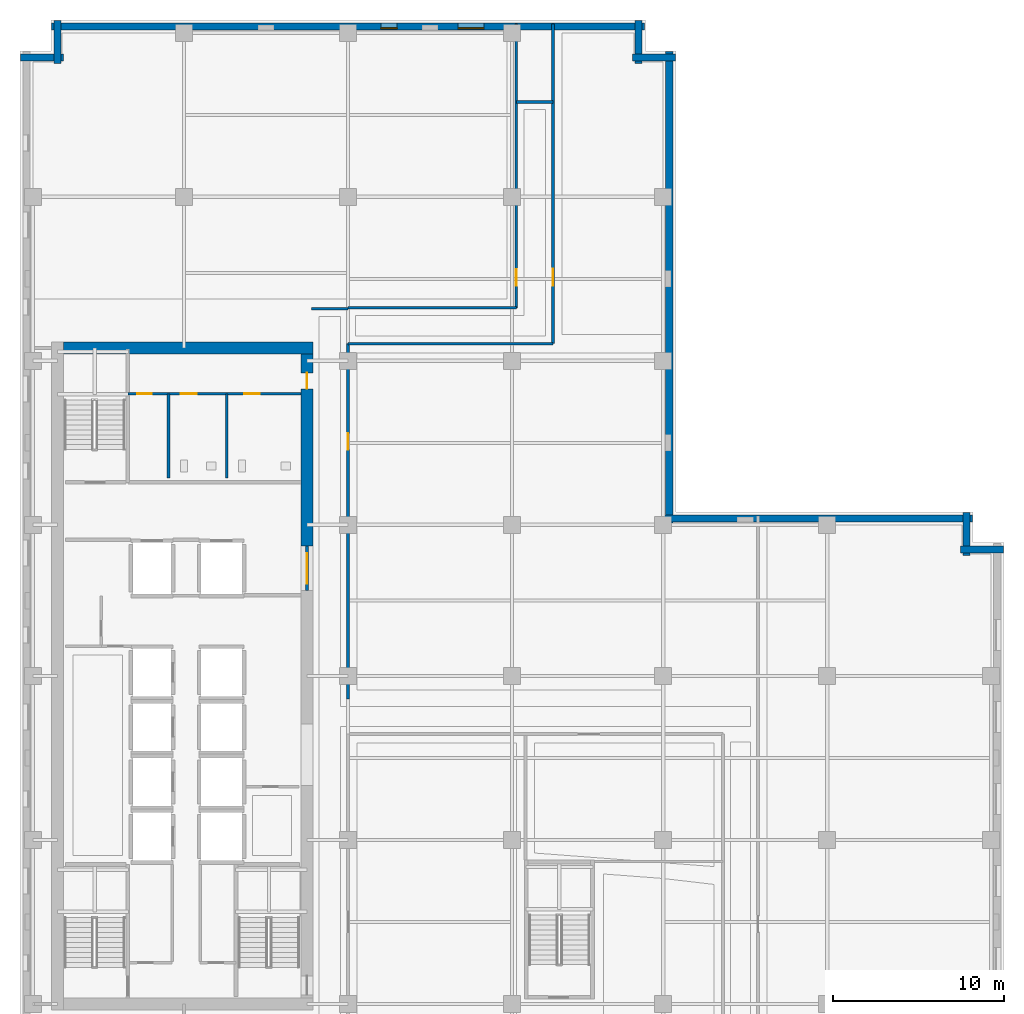
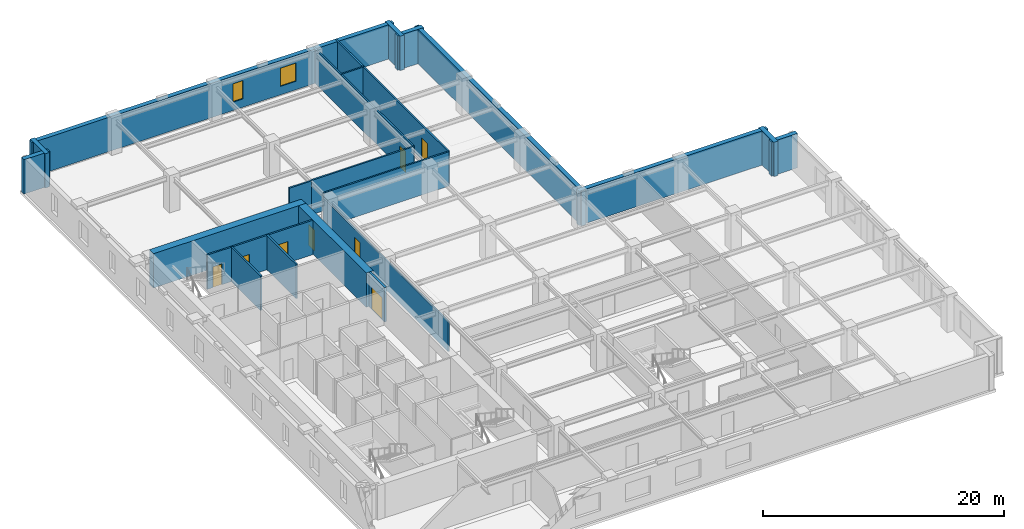
# One storey, part 6 of 12: 22 walls, 8 doors, 2 windows, 10 openings.
"""IFC4 building model written with IfcOpenShell, lengths in metres."""

from ifc_helpers import new_model, si_unit, direction, frame, frame_2d, origin, place, context, subcontext, project, spatial, rectangle, extrude, material, layer, layer_set, type_object, element, fill, save


model = new_model("IFC4")

# Units and contexts
model_context = context("Model", 3, precision=1e-05, world=origin(), true_north=direction((0.0, 1.0)))
body_context = subcontext(model_context, "Body", "Model", "MODEL_VIEW")
ifc_project = project(units=[si_unit("LENGTHUNIT", "METRE"), si_unit("AREAUNIT", "SQUARE_METRE"), si_unit("VOLUMEUNIT", "CUBIC_METRE"), si_unit("PLANEANGLEUNIT", "RADIAN"), si_unit("MASSUNIT", "GRAM", prefix="KILO")], contexts=[model_context])

# Site, building, storey
site_placement = place(None, origin())
site = spatial("IfcSite", under=ifc_project, at=site_placement, CompositionType="ELEMENT")
building_placement = place(site_placement, origin())
building = spatial("IfcBuilding", under=site, at=building_placement, Name="Norrvale University Quadrangle", CompositionType="ELEMENT")
storey_placement = place(building_placement, frame((0.0, 0.0, 147.0)))
storey = spatial("IfcBuildingStorey", under=building, at=storey_placement, Name="L37", CompositionType="ELEMENT", Elevation=147.0)

# Walls
ifc_material_1 = material(Name="Buff Norman Clay Brick Masonry", Category="masonry")
ifc_layer_1 = layer(ifc_material_1, 0.419921875, Name="Buff Norman Clay Brick Masonry")
ifc_layer_set_1 = layer_set([ifc_layer_1], Name="Buff Norman Clay Brick Masonry")
wall_type_1 = type_object("IfcWallType", Name="Wall Buff Brick 420", PredefinedType="SOLIDWALL", material=ifc_layer_set_1)
for number, where, z_axis, x_axis, name in (
    (1, (57.56005859375, 36.2099609375, 0.0), (0.0, 0.0, 1.0), (-1.0, 0.0, 0.0), "Exterior Brick Facade Wall L37-05.1"),
    (2, (55.409912109375, 35.860107421875, 0.0), (0.0, 0.0, 1.0), (0.0, 1.0, 0.0), "Exterior Brick Facade Wall L37-06.1"),
):
    element("IfcWall", number, at=place(storey_placement, frame(where, z_axis=z_axis, x_axis=x_axis)), inside=storey, type_object=wall_type_1, Name=name, PredefinedType="SOLIDWALL", context=body_context, shape_type="SweptSolid", body=[
        extrude(rectangle(XDim=2.5, YDim=0.419921875, at=frame_2d((1.25, 0.0))), origin(), (0.0, 0.0, 1.0), 3.47998046875),
    ])
wall_1_placement = place(storey_placement, frame((55.760009765625, 38.010009765625, 0.0), z_axis=(0.0, 0.0, 1.0), x_axis=(-1.0, 0.0, 0.0)))
element("IfcWall", 3, at=wall_1_placement, inside=storey, type_object=wall_type_1, Name="Exterior Brick Facade Wall L37-07.1", PredefinedType="SOLIDWALL", context=body_context, shape_type="SweptSolid", body=[
    extrude(rectangle(XDim=18.10009765625, YDim=0.419921875, at=frame_2d((9.050048828125, 0.0))), origin(), (0.0, 0.0, 1.0), 3.47998046875),
])
wall_2_placement = place(storey_placement, frame((38.010009765625, 37.659912109375, 0.0), z_axis=(0.0, 0.0, 1.0), x_axis=(0.0, 1.0, 0.0)))
element("IfcWall", 4, at=wall_2_placement, inside=storey, type_object=wall_type_1, Name="Exterior Brick Facade Wall L37-08.1", PredefinedType="SOLIDWALL", context=body_context, shape_type="SweptSolid", body=[
    extrude(rectangle(XDim=27.7001953125, YDim=0.419921875, at=frame_2d((13.85009765625, 0.0))), origin(), (0.0, 0.0, 1.0), 3.47998046875),
])
for number, where, z_axis, x_axis, name in (
    (5, (38.360107421875, 65.010009765625, 0.0), (0.0, 0.0, 1.0), (-1.0, 0.0, 0.0), "Exterior Brick Facade Wall L37-09.1"),
    (6, (36.2099609375, 64.659912109375, 0.0), (0.0, 0.0, 1.0), (0.0, 1.0, 0.0), "Exterior Brick Facade Wall L37-10.1"),
):
    element("IfcWall", number, at=place(storey_placement, frame(where, z_axis=z_axis, x_axis=x_axis)), inside=storey, type_object=wall_type_1, Name=name, PredefinedType="SOLIDWALL", context=body_context, shape_type="SweptSolid", body=[
        extrude(rectangle(XDim=2.5, YDim=0.419921875, at=frame_2d((1.25, 0.0))), origin(), (0.0, 0.0, 1.0), 3.47998046875),
    ])

# Wall, openings, windows
wall_3_placement = place(storey_placement, frame((36.56005859375, 66.81005859375, 0.0), z_axis=(0.0, 0.0, 1.0), x_axis=(-1.0, 0.0, 0.0)))
wall_3 = element("IfcWall", 7, at=wall_3_placement, inside=storey, type_object=wall_type_1, Name="Exterior Brick Facade Wall L37-11.1", PredefinedType="SOLIDWALL", context=body_context, shape_type="SweptSolid", body=[
    extrude(rectangle(XDim=34.719970703125, YDim=0.419921875, at=frame_2d((17.35986328125, 0.0))), origin(), (0.0, 0.0, 1.0), 3.47998046875),
])
opening_1_placement = place(wall_3_placement, frame((9.409912109375, 0.0, 0.85009765625)))
opening_1 = element("IfcOpeningElement", 8, at=opening_1_placement, cuts=wall_3, Name="Opening W03", PredefinedType="OPENING", context=body_context, shape_type="SweptSolid", body=[
    extrude(rectangle(XDim=1.5, YDim=1.85009765625, at=frame_2d((0.75, 0.925048828125))), frame((0.0, 0.221923828125, 0.0), z_axis=(0.0, -1.0, 0.0), x_axis=(1.0, 0.0, 0.0)), (0.0, 0.0, 1.0), 0.44384765625),
])
opening_2_placement = place(wall_3_placement, frame((14.485107421875, 0.0, 0.85009765625)))
opening_2 = element("IfcOpeningElement", 9, at=opening_2_placement, cuts=wall_3, Name="Opening W04", PredefinedType="OPENING", context=body_context, shape_type="SweptSolid", body=[
    extrude(rectangle(XDim=0.949951171875, YDim=1.85009765625, at=frame_2d((0.47509765625, 0.925048828125))), frame((0.0, 0.221923828125, 0.0), z_axis=(0.0, -1.0, 0.0), x_axis=(1.0, 0.0, 0.0)), (0.0, 0.0, 1.0), 0.44384765625),
])
ifc_material_2 = material(Name="Triple Low-E Argon Glazing", Category="glass")
window_type_1 = type_object("IfcWindowType", Name="Window Narrow Pier 950x2300", PartitioningType="SINGLE_PANEL", PredefinedType="WINDOW", material=ifc_material_2)
window_1_placement = place(opening_2_placement, origin())
window_1 = element("IfcWindow", 10, at=window_1_placement, inside=storey, type_object=window_type_1, Name="Window Narrow Pier 950x2300 WIN-L37-E11-1-02", OverallHeight=1.85009765625, OverallWidth=0.949951171875, PartitioningType="SINGLE_PANEL", PredefinedType="WINDOW", context=body_context, shape_type="SweptSolid", body=[
    extrude(rectangle(XDim=0.949951171875, YDim=1.85009765625, at=frame_2d((0.47509765625, 0.925048828125))), frame((0.0, 0.110107421875, 0.0), z_axis=(0.0, -1.0, 0.0), x_axis=(1.0, 0.0, 0.0)), (0.0, 0.0, 1.0), 0.06005859375),
])
fill(opening_2, window_1)
window_type_2 = type_object("IfcWindowType", Name="Window Studio 1500x2300", PartitioningType="DOUBLE_PANEL_VERTICAL", PredefinedType="WINDOW", material=ifc_material_2)
window_2_placement = place(opening_1_placement, origin())
window_2 = element("IfcWindow", 11, at=window_2_placement, inside=storey, type_object=window_type_2, Name="Window Studio 1500x2300 WIN-L37-E11-1-01", OverallHeight=1.85009765625, OverallWidth=1.5, PartitioningType="DOUBLE_PANEL_VERTICAL", PredefinedType="WINDOW", context=body_context, shape_type="SweptSolid", body=[
    extrude(rectangle(XDim=1.5, YDim=1.85009765625, at=frame_2d((0.75, 0.925048828125))), frame((0.0, 0.110107421875, 0.0), z_axis=(0.0, -1.0, 0.0), x_axis=(1.0, 0.0, 0.0)), (0.0, 0.0, 1.0), 0.06005859375),
])
fill(opening_1, window_2)

# Walls
for number, where, z_axis, x_axis, name in (
    (12, (2.18994140625, 67.159912109375, 0.0), (0.0, 0.0, 1.0), (0.0, -1.0, 0.0), "Exterior Brick Facade Wall L37-12.1"),
    (13, (2.5400390625, 65.010009765625, 0.0), (0.0, 0.0, 1.0), (-1.0, 0.0, 0.0), "Exterior Brick Facade Wall L37-13.1"),
):
    element("IfcWall", number, at=place(storey_placement, frame(where, z_axis=z_axis, x_axis=x_axis)), inside=storey, type_object=wall_type_1, Name=name, PredefinedType="SOLIDWALL", context=body_context, shape_type="SweptSolid", body=[
        extrude(rectangle(XDim=2.5, YDim=0.419921875, at=frame_2d((1.25, 0.0))), origin(), (0.0, 0.0, 1.0), 3.47998046875),
    ])
ifc_material_3 = material(Name="Concrete C60/75", Category="concrete")
ifc_layer_2 = layer(ifc_material_3, 0.699951171875, Name="Concrete C60/75")
ifc_layer_set_2 = layer_set([ifc_layer_2], Name="Concrete C60/75")
wall_type_2 = type_object("IfcWallType", Name="Wall Core 700", PredefinedType="SHEAR", material=ifc_layer_set_2)
wall_4_placement = place(storey_placement, frame((2.550048828125, 48.0, 0.0), z_axis=(0.0, 0.0, 1.0), x_axis=(1.0, 0.0, 0.0)))
element("IfcWall", 14, at=wall_4_placement, inside=storey, type_object=wall_type_2, Name="Tower Core Shear Wall L37-N", PredefinedType="SHEAR", context=body_context, shape_type="SweptSolid", body=[
    extrude(rectangle(XDim=14.599853515625, YDim=0.699951171875, at=frame_2d((7.2998046875, 0.0))), origin(), (0.0, 0.0, 1.0), 3.47998046875),
])

# Wall, opening, door
wall_5_placement = place(storey_placement, frame((16.800048828125, 36.39990234375, 0.0), z_axis=(0.0, 0.0, 1.0), x_axis=(0.0, 1.0, 0.0)))
wall_5 = element("IfcWall", 15, at=wall_5_placement, inside=storey, type_object=wall_type_2, Name="Tower Core Shear Wall L37-E3", PredefinedType="SHEAR", context=body_context, shape_type="SweptSolid", body=[
    extrude(rectangle(XDim=11.25, YDim=0.699951171875, at=frame_2d((5.625, 0.0))), origin(), (0.0, 0.0, 1.0), 3.47998046875),
])
opening_3_placement = place(wall_5_placement, frame((9.199951171875, 0.0, 0.0)))
opening_3 = element("IfcOpeningElement", 16, at=opening_3_placement, cuts=wall_5, Name="Opening D07", PredefinedType="OPENING", context=body_context, shape_type="SweptSolid", body=[
    extrude(rectangle(XDim=0.949951171875, YDim=2.14990234375, at=frame_2d((0.47509765625, 1.074951171875))), frame((0.0, 0.362060546875, 0.0), z_axis=(0.0, -1.0, 0.0), x_axis=(1.0, 0.0, 0.0)), (0.0, 0.0, 1.0), 0.723876953125),
])
ifc_material_4 = material(Name="Solid-Core Maple Door", Category="wood")
door_type_1 = type_object("IfcDoorType", Name="Door Office 950x2150", OperationType="NOTDEFINED", PredefinedType="DOOR", material=ifc_material_4)
door_1_placement = place(opening_3_placement, origin())
door_1 = element("IfcDoor", 17, at=door_1_placement, inside=storey, type_object=door_type_1, Name="Door Office 950x2150 DR-L37-NECORR", OperationType="SINGLE_SWING_RIGHT", OverallHeight=2.14990234375, OverallWidth=0.949951171875, PredefinedType="DOOR", context=body_context, shape_type="SweptSolid", body=[
    extrude(rectangle(XDim=0.949951171875, YDim=2.14990234375, at=frame_2d((0.47509765625, 1.074951171875))), frame((0.0, 0.02490234375, 0.0), z_axis=(0.0, -1.0, 0.0), x_axis=(1.0, 0.0, 0.0)), (0.0, 0.0, 1.0), 0.050048828125),
])
fill(opening_3, door_1)

# Wall
ifc_material_5 = material(Name="Fire-Rated Gypsum Stud Partition")
ifc_layer_3 = layer(ifc_material_5, 0.14990234375, Name="Fire-Rated Gypsum Stud Partition")
ifc_layer_set_3 = layer_set([ifc_layer_3], Name="Fire-Rated Gypsum Stud Partition")
wall_type_3 = type_object("IfcWallType", Name="Wall Gypsum Corridor 150", PredefinedType="PARTITIONING", material=ifc_layer_set_3)
wall_6_placement = place(storey_placement, frame((17.050048828125, 50.300048828125, 0.0), z_axis=(0.0, 0.0, 1.0), x_axis=(1.0, 0.0, 0.0)))
element("IfcWall", 18, at=wall_6_placement, inside=storey, type_object=wall_type_3, Name="Interior Partition WL-L37-CN-END", PredefinedType="PARTITIONING", context=body_context, shape_type="SweptSolid", body=[
    extrude(rectangle(XDim=2.14990234375, YDim=0.14990234375, at=frame_2d((1.074951171875, 0.0))), origin(), (0.0, 0.0, 1.0), 3.47998046875),
])

# Wall, opening, door
wall_7_placement = place(storey_placement, frame((19.199951171875, 27.449951171875, 0.0), z_axis=(0.0, 0.0, 1.0), x_axis=(0.0, 1.0, 0.0)))
wall_7 = element("IfcWall", 19, at=wall_7_placement, inside=storey, type_object=wall_type_3, Name="Interior Partition WL-L37-MNECW", PredefinedType="PARTITIONING", context=body_context, shape_type="SweptSolid", body=[
    extrude(rectangle(XDim=20.800048828125, YDim=0.14990234375, at=frame_2d((10.39990234375, 0.0))), origin(), (0.0, 0.0, 1.0), 3.010986328125),
])
opening_4_placement = place(wall_7_placement, frame((14.60009765625, 0.0, 0.0)))
opening_4 = element("IfcOpeningElement", 20, at=opening_4_placement, cuts=wall_7, Name="Opening D07", PredefinedType="OPENING", context=body_context, shape_type="SweptSolid", body=[
    extrude(rectangle(XDim=0.949951171875, YDim=2.14990234375, at=frame_2d((0.47509765625, 1.074951171875))), frame((0.0, 0.0869140625, 0.0), z_axis=(0.0, -1.0, 0.0), x_axis=(1.0, 0.0, 0.0)), (0.0, 0.0, 1.0), 0.173828125),
])
door_2_placement = place(opening_4_placement, origin())
door_2 = element("IfcDoor", 21, at=door_2_placement, inside=storey, type_object=door_type_1, Name="Door Office 950x2150 DR-L37-MNE01", OperationType="SINGLE_SWING_RIGHT", OverallHeight=2.14990234375, OverallWidth=0.949951171875, PredefinedType="DOOR", context=body_context, shape_type="SweptSolid", body=[
    extrude(rectangle(XDim=0.949951171875, YDim=2.14990234375, at=frame_2d((0.47509765625, 1.074951171875))), frame((0.0, 0.02490234375, 0.0), z_axis=(0.0, -1.0, 0.0), x_axis=(1.0, 0.0, 0.0)), (0.0, 0.0, 1.0), 0.050048828125),
])
fill(opening_4, door_2)

# Walls
wall_8_placement = place(storey_placement, frame((19.199951171875, 48.25, 0.0), z_axis=(0.0, 0.0, 1.0), x_axis=(1.0, 0.0, 0.0)))
element("IfcWall", 22, at=wall_8_placement, inside=storey, type_object=wall_type_3, Name="Interior Partition WL-L37-JOGS", PredefinedType="PARTITIONING", context=body_context, shape_type="SweptSolid", body=[
    extrude(rectangle(XDim=12.0, YDim=0.14990234375, at=frame_2d((6.0, 0.0))), origin(), (0.0, 0.0, 1.0), 3.47998046875),
])
wall_9_placement = place(storey_placement, frame((19.199951171875, 50.35009765625, 0.0), z_axis=(0.0, 0.0, 1.0), x_axis=(1.0, 0.0, 0.0)))
element("IfcWall", 23, at=wall_9_placement, inside=storey, type_object=wall_type_3, Name="Interior Partition WL-L37-JOGN", PredefinedType="PARTITIONING", context=body_context, shape_type="SweptSolid", body=[
    extrude(rectangle(XDim=9.85009765625, YDim=0.14990234375, at=frame_2d((4.925048828125, 0.0))), origin(), (0.0, 0.0, 1.0), 3.47998046875),
])
wall_10_placement = place(storey_placement, frame((29.050048828125, 62.39990234375, 0.0), z_axis=(0.0, 0.0, 1.0), x_axis=(1.0, 0.0, 0.0)))
element("IfcWall", 24, at=wall_10_placement, inside=storey, type_object=wall_type_3, Name="Interior Partition WL-L37-JOGEND", PredefinedType="PARTITIONING", context=body_context, shape_type="SweptSolid", body=[
    extrude(rectangle(XDim=2.14990234375, YDim=0.14990234375, at=frame_2d((1.074951171875, 0.0))), origin(), (0.0, 0.0, 1.0), 3.47998046875),
])

# Wall, opening, door
wall_11_placement = place(storey_placement, frame((31.199951171875, 48.25, 0.0), z_axis=(0.0, 0.0, 1.0), x_axis=(0.0, 1.0, 0.0)))
wall_11 = element("IfcWall", 25, at=wall_11_placement, inside=storey, type_object=wall_type_3, Name="Interior Partition WL-L37-NECW", PredefinedType="PARTITIONING", context=body_context, shape_type="SweptSolid", body=[
    extrude(rectangle(XDim=18.72998046875, YDim=0.14990234375, at=frame_2d((9.364990234375, 0.0))), origin(), (0.0, 0.0, 1.0), 3.47998046875),
])
opening_5_placement = place(wall_11_placement, frame((3.39990234375, 0.0, 0.0)))
opening_5 = element("IfcOpeningElement", 26, at=opening_5_placement, cuts=wall_11, Name="Opening D04", PredefinedType="OPENING", context=body_context, shape_type="SweptSolid", body=[
    extrude(rectangle(XDim=1.0, YDim=2.199951171875, at=frame_2d((0.5, 1.10009765625))), frame((0.0, 0.0869140625, 0.0), z_axis=(0.0, -1.0, 0.0), x_axis=(1.0, 0.0, 0.0)), (0.0, 0.0, 1.0), 0.173828125),
])
ifc_material_6 = material(Name="Solid-Core Oak Fire Door", Category="wood")
door_type_2 = type_object("IfcDoorType", Name="Door Corridor 1000x2200", OperationType="NOTDEFINED", PredefinedType="DOOR", material=ifc_material_6)
door_3_placement = place(opening_5_placement, origin())
door_3 = element("IfcDoor", 27, at=door_3_placement, inside=storey, type_object=door_type_2, Name="Door Corridor 1000x2200 DR-L37-NE01", OperationType="SINGLE_SWING_RIGHT", OverallHeight=2.199951171875, OverallWidth=1.0, PredefinedType="DOOR", context=body_context, shape_type="SweptSolid", body=[
    extrude(rectangle(XDim=1.0, YDim=2.199951171875, at=frame_2d((0.5, 1.10009765625))), frame((0.0, 0.02490234375, 0.0), z_axis=(0.0, -1.0, 0.0), x_axis=(1.0, 0.0, 0.0)), (0.0, 0.0, 1.0), 0.050048828125),
])
fill(opening_5, door_3)

wall_12_placement = place(storey_placement, frame((29.050048828125, 50.35009765625, 0.0), z_axis=(0.0, 0.0, 1.0), x_axis=(0.0, 1.0, 0.0)))
wall_12 = element("IfcWall", 28, at=wall_12_placement, inside=storey, type_object=wall_type_3, Name="Interior Partition WL-L37-NWCW", PredefinedType="PARTITIONING", context=body_context, shape_type="SweptSolid", body=[
    extrude(rectangle(XDim=16.6298828125, YDim=0.14990234375, at=frame_2d((8.31494140625, 0.0))), origin(), (0.0, 0.0, 1.0), 3.47998046875),
])
opening_6_placement = place(wall_12_placement, frame((1.300048828125, 0.0, 0.0)))
opening_6 = element("IfcOpeningElement", 29, at=opening_6_placement, cuts=wall_12, Name="Opening D07", PredefinedType="OPENING", context=body_context, shape_type="SweptSolid", body=[
    extrude(rectangle(XDim=0.949951171875, YDim=2.14990234375, at=frame_2d((0.47509765625, 1.074951171875))), frame((0.0, 0.0869140625, 0.0), z_axis=(0.0, -1.0, 0.0), x_axis=(1.0, 0.0, 0.0)), (0.0, 0.0, 1.0), 0.173828125),
])
door_4_placement = place(opening_6_placement, origin())
door_4 = element("IfcDoor", 30, at=door_4_placement, inside=storey, type_object=door_type_1, Name="Door Office 950x2150 DR-L37-NW01", OperationType="SINGLE_SWING_RIGHT", OverallHeight=2.14990234375, OverallWidth=0.949951171875, PredefinedType="DOOR", context=body_context, shape_type="SweptSolid", body=[
    extrude(rectangle(XDim=0.949951171875, YDim=2.14990234375, at=frame_2d((0.47509765625, 1.074951171875))), frame((0.0, 0.02490234375, 0.0), z_axis=(0.0, -1.0, 0.0), x_axis=(1.0, 0.0, 0.0)), (0.0, 0.0, 1.0), 0.050048828125),
])
fill(opening_6, door_4)

# Wall, openings, doors
ifc_material_7 = material(Name="Sanitary Chase Gypsum Partition")
ifc_layer_4 = layer(ifc_material_7, 0.1650390625, Name="Sanitary Chase Gypsum Partition")
ifc_layer_set_4 = layer_set([ifc_layer_4], Name="Sanitary Chase Gypsum Partition")
wall_type_4 = type_object("IfcWallType", Name="Wall Gypsum Sanitary 165", PredefinedType="PLUMBINGWALL", material=ifc_layer_set_4)
wall_13_placement = place(storey_placement, frame((6.320068359375, 45.320068359375, 0.0), z_axis=(0.0, 0.0, 1.0), x_axis=(1.0, 0.0, 0.0)))
wall_13 = element("IfcWall", 31, at=wall_13_placement, inside=storey, type_object=wall_type_4, Name="Interior Partition WL-L37-WCN", PredefinedType="PLUMBINGWALL", context=body_context, shape_type="SweptSolid", body=[
    extrude(rectangle(XDim=10.1298828125, YDim=0.1650390625, at=frame_2d((5.06494140625, 0.0))), origin(), (0.0, 0.0, 1.0), 3.47998046875),
])
opening_7_placement = place(wall_13_placement, frame((0.550048828125, 0.0, 0.0)))
opening_7 = element("IfcOpeningElement", 32, at=opening_7_placement, cuts=wall_13, Name="Opening D10", PredefinedType="OPENING", context=body_context, shape_type="SweptSolid", body=[
    extrude(rectangle(XDim=0.85009765625, YDim=2.10009765625, at=frame_2d((0.425048828125, 1.050048828125))), frame((0.0, 0.094482421875, 0.0), z_axis=(0.0, -1.0, 0.0), x_axis=(1.0, 0.0, 0.0)), (0.0, 0.0, 1.0), 0.18896484375),
])
opening_8_placement = place(wall_13_placement, frame((3.10009765625, 0.0, 0.0)))
opening_8 = element("IfcOpeningElement", 33, at=opening_8_placement, cuts=wall_13, Name="Opening D08", PredefinedType="OPENING", context=body_context, shape_type="SweptSolid", body=[
    extrude(rectangle(XDim=0.919921875, YDim=2.14990234375, at=frame_2d((0.4599609375, 1.074951171875))), frame((0.0, 0.094482421875, 0.0), z_axis=(0.0, -1.0, 0.0), x_axis=(1.0, 0.0, 0.0)), (0.0, 0.0, 1.0), 0.18896484375),
])
opening_9_placement = place(wall_13_placement, frame((6.800048828125, 0.0, 0.0)))
opening_9 = element("IfcOpeningElement", 34, at=opening_9_placement, cuts=wall_13, Name="Opening D08", PredefinedType="OPENING", context=body_context, shape_type="SweptSolid", body=[
    extrude(rectangle(XDim=0.919921875, YDim=2.14990234375, at=frame_2d((0.4599609375, 1.074951171875))), frame((0.0, 0.094482421875, 0.0), z_axis=(0.0, -1.0, 0.0), x_axis=(1.0, 0.0, 0.0)), (0.0, 0.0, 1.0), 0.18896484375),
])
ifc_material_8 = material(Name="Hollow Steel 350W Riser Fire Door", Category="steel")
door_type_3 = type_object("IfcDoorType", Name="Door Riser 850x2100", OperationType="NOTDEFINED", PredefinedType="DOOR", material=ifc_material_8)
door_5_placement = place(opening_7_placement, origin())
door_5 = element("IfcDoor", 35, at=door_5_placement, inside=storey, type_object=door_type_3, Name="Door Riser 850x2100 DR-L37-WC1", OperationType="SINGLE_SWING_LEFT", OverallHeight=2.10009765625, OverallWidth=0.85009765625, PredefinedType="DOOR", context=body_context, shape_type="SweptSolid", body=[
    extrude(rectangle(XDim=0.85009765625, YDim=2.10009765625, at=frame_2d((0.425048828125, 1.050048828125))), frame((0.0, 0.02490234375, 0.0), z_axis=(0.0, -1.0, 0.0), x_axis=(1.0, 0.0, 0.0)), (0.0, 0.0, 1.0), 0.050048828125),
])
fill(opening_7, door_5)
ifc_material_9 = material(Name="Laminate Washroom Door", Category="wood")
door_type_4 = type_object("IfcDoorType", Name="Door Washroom 920x2150", OperationType="NOTDEFINED", PredefinedType="DOOR", material=ifc_material_9)
door_6_placement = place(opening_8_placement, origin())
door_6 = element("IfcDoor", 36, at=door_6_placement, inside=storey, type_object=door_type_4, Name="Door Washroom 920x2150 DR-L37-WC2", OperationType="SINGLE_SWING_RIGHT", OverallHeight=2.14990234375, OverallWidth=0.919921875, PredefinedType="DOOR", context=body_context, shape_type="SweptSolid", body=[
    extrude(rectangle(XDim=0.919921875, YDim=2.14990234375, at=frame_2d((0.4599609375, 1.074951171875))), frame((0.0, 0.02490234375, 0.0), z_axis=(0.0, -1.0, 0.0), x_axis=(1.0, 0.0, 0.0)), (0.0, 0.0, 1.0), 0.050048828125),
])
fill(opening_8, door_6)
door_7_placement = place(opening_9_placement, origin())
door_7 = element("IfcDoor", 37, at=door_7_placement, inside=storey, type_object=door_type_4, Name="Door Washroom 920x2150 DR-L37-WC3", OperationType="SINGLE_SWING_LEFT", OverallHeight=2.14990234375, OverallWidth=0.919921875, PredefinedType="DOOR", context=body_context, shape_type="SweptSolid", body=[
    extrude(rectangle(XDim=0.919921875, YDim=2.14990234375, at=frame_2d((0.4599609375, 1.074951171875))), frame((0.0, 0.02490234375, 0.0), z_axis=(0.0, -1.0, 0.0), x_axis=(1.0, 0.0, 0.0)), (0.0, 0.0, 1.0), 0.050048828125),
])
fill(opening_9, door_7)

# Walls
for number, where, z_axis, x_axis, name in (
    (38, (8.699951171875, 40.39990234375, 0.0), (0.0, 0.0, 1.0), (0.0, 1.0, 0.0), "Interior Partition WL-L37-WCM1"),
    (39, (12.10009765625, 40.39990234375, 0.0), (0.0, 0.0, 1.0), (0.0, 1.0, 0.0), "Interior Partition WL-L37-WCM2"),
):
    element("IfcWall", number, at=place(storey_placement, frame(where, z_axis=z_axis, x_axis=x_axis)), inside=storey, type_object=wall_type_4, Name=name, PredefinedType="PLUMBINGWALL", context=body_context, shape_type="SweptSolid", body=[
        extrude(rectangle(XDim=4.920166015625, YDim=0.1650390625, at=frame_2d((2.4599609375, 0.0))), origin(), (0.0, 0.0, 1.0), 3.47998046875),
    ])

# Wall, opening, door
ifc_material_10 = material(Name="Concrete Blockwork 20 MPa Rated Wall", Category="masonry")
ifc_layer_5 = layer(ifc_material_10, 0.199951171875, Name="Concrete Blockwork 20 MPa Rated Wall")
ifc_layer_set_5 = layer_set([ifc_layer_5], Name="Concrete Blockwork 20 MPa Rated Wall")
wall_type_5 = type_object("IfcWallType", Name="Wall Lobby 200", PredefinedType="SOLIDWALL", material=ifc_layer_set_5)
wall_14_placement = place(storey_placement, frame((16.800048828125, 33.800048828125, 0.0), z_axis=(0.0, 0.0, 1.0), x_axis=(0.0, 1.0, 0.0)))
wall_14 = element("IfcWall", 40, at=wall_14_placement, inside=storey, type_object=wall_type_5, Name="Interior Partition WL-L37-FFP", PredefinedType="SOLIDWALL", context=body_context, shape_type="SweptSolid", body=[
    extrude(rectangle(XDim=2.599853515625, YDim=0.199951171875, at=frame_2d((1.2998046875, 0.0))), origin(), (0.0, 0.0, 1.0), 3.47998046875),
])
opening_10_placement = place(wall_14_placement, frame((0.39990234375, 0.0, 0.0)))
opening_10 = element("IfcOpeningElement", 41, at=opening_10_placement, cuts=wall_14, Name="Opening D03", PredefinedType="OPENING", context=body_context, shape_type="SweptSolid", body=[
    extrude(rectangle(XDim=1.800048828125, YDim=2.199951171875, at=frame_2d((0.89990234375, 1.10009765625))), frame((0.0, 0.112060546875, 0.0), z_axis=(0.0, -1.0, 0.0), x_axis=(1.0, 0.0, 0.0)), (0.0, 0.0, 1.0), 0.223876953125),
])
ifc_material_11 = material(Name="Hollow Steel 350W Fire Door", Category="steel")
door_type_5 = type_object("IfcDoorType", Name="Door Fire Lobby 1800x2200", OperationType="DOUBLE_DOOR_SINGLE_SWING", PredefinedType="DOOR", material=ifc_material_11)
door_8_placement = place(opening_10_placement, origin())
door_8 = element("IfcDoor", 42, at=door_8_placement, inside=storey, type_object=door_type_5, Name="Door Fire Lobby 1800x2200 DR-L37-FFP", OperationType="DOUBLE_DOOR_SINGLE_SWING", OverallHeight=2.199951171875, OverallWidth=1.800048828125, PredefinedType="DOOR", context=body_context, shape_type="SweptSolid", body=[
    extrude(rectangle(XDim=1.800048828125, YDim=2.199951171875, at=frame_2d((0.89990234375, 1.10009765625))), frame((0.0, 0.02490234375, 0.0), z_axis=(0.0, -1.0, 0.0), x_axis=(1.0, 0.0, 0.0)), (0.0, 0.0, 1.0), 0.050048828125),
])
fill(opening_10, door_8)

save(model, "model.ifc")
